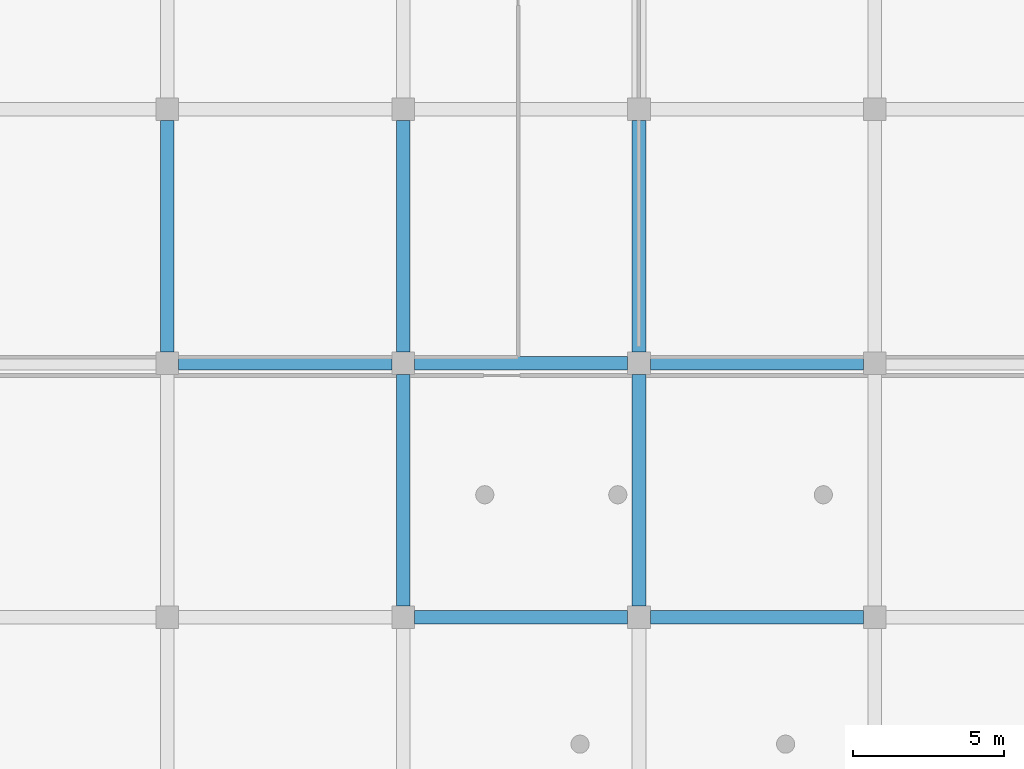
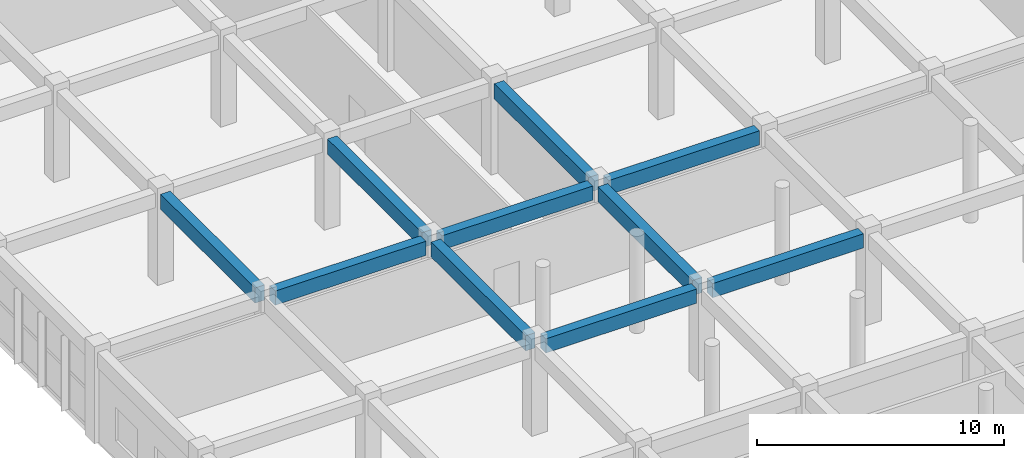
# One storey, part 9 of 167: 10 beams.
"""IFC4 building model written with IfcOpenShell, lengths in metres."""

from ifc_helpers import new_model, si_unit, direction, frame, origin, origin_2d, place, context, subcontext, project, spatial, rectangle, extrude, material, material_profile, profile_set, type_object, element, save


model = new_model("IFC4")

# Units and contexts
model_context = context("Model", 3, precision=1e-05, world=origin(), true_north=direction((0.0, 1.0)))
body_context = subcontext(model_context, "Body", "Model", "MODEL_VIEW")
ifc_project = project(units=[si_unit("LENGTHUNIT", "METRE"), si_unit("AREAUNIT", "SQUARE_METRE"), si_unit("VOLUMEUNIT", "CUBIC_METRE"), si_unit("PLANEANGLEUNIT", "RADIAN"), si_unit("MASSUNIT", "GRAM", prefix="KILO")], contexts=[model_context])

# Site, building, storey
site_placement = place(None, origin())
site = spatial("IfcSite", under=ifc_project, at=site_placement, CompositionType="ELEMENT")
building_placement = place(site_placement, origin())
building = spatial("IfcBuilding", under=site, at=building_placement, Name="Zizhar Promenade General Hospital", CompositionType="ELEMENT")
storey_placement = place(building_placement, frame((0.0, 0.0, 9.60009765625)))
storey = spatial("IfcBuildingStorey", under=building, at=storey_placement, Name="L02", CompositionType="ELEMENT", Elevation=9.60009765625)

# Beams
ifc_material_1 = material(Name="Concrete C35/45", Category="concrete")
ifc_material_profile_1 = material_profile(ifc_material_1, rectangle(XDim=0.449951171875, YDim=0.699951171875, at=origin_2d()))
ifc_profile_set_1 = profile_set([ifc_material_profile_1], Name="Concrete C35/45")
beam_type_1 = type_object("IfcBeamType", Name="BM-RC-450x700", PredefinedType="BEAM", material=ifc_profile_set_1)
beam_1_placement = place(storey_placement, frame((8.175048828125, 25.199951171875, 4.119873046875), z_axis=(1.0, 0.0, 0.0), x_axis=(0.0, 1.0, 0.0)))
element("IfcBeam", 1, at=beam_1_placement, inside=storey, type_object=beam_type_1, Name="Grid Beam X L02 (1-3)", PredefinedType="BEAM", context=body_context, shape_type="SweptSolid", body=[
    extrude(rectangle(XDim=0.449951171875, YDim=0.699951171875, at=origin_2d()), origin(), (0.0, 0.0, 1.0), 7.050048828125),
])
for number, where, z_axis, x_axis, name in (
    (2, (15.97509765625, 16.800048828125, 4.119873046875), (1.0, 0.0, 0.0), (0.0, 1.0, 0.0), "Grid Beam X L02 (2-2)"),
    (3, (15.97509765625, 25.199951171875, 4.119873046875), (1.0, 0.0, 0.0), (0.0, 1.0, 0.0), "Grid Beam X L02 (2-3)"),
):
    element("IfcBeam", number, at=place(storey_placement, frame(where, z_axis=z_axis, x_axis=x_axis)), inside=storey, type_object=beam_type_1, Name=name, PredefinedType="BEAM", context=body_context, shape_type="SweptSolid", body=[
        extrude(rectangle(XDim=0.449951171875, YDim=0.699951171875, at=origin_2d()), origin(), (0.0, 0.0, 1.0), 7.0498046875),
    ])
for number, where, z_axis, x_axis, name in (
    (4, (23.77490234375, 16.800048828125, 4.119873046875), (1.0, 0.0, 0.0), (0.0, 1.0, 0.0), "Grid Beam X L02 (3-2)"),
    (5, (23.77490234375, 25.199951171875, 4.119873046875), (1.0, 0.0, 0.0), (0.0, 1.0, 0.0), "Grid Beam X L02 (3-3)"),
):
    element("IfcBeam", number, at=place(storey_placement, frame(where, z_axis=z_axis, x_axis=x_axis)), inside=storey, type_object=beam_type_1, Name=name, PredefinedType="BEAM", context=body_context, shape_type="SweptSolid", body=[
        extrude(rectangle(XDim=0.449951171875, YDim=0.699951171875, at=origin_2d()), origin(), (0.0, 0.0, 1.0), 7.050048828125),
    ])
ifc_material_2 = material(Name="Concrete C35/45", Category="concrete")
ifc_material_profile_2 = material_profile(ifc_material_2, rectangle(XDim=0.449951171875, YDim=0.75, at=origin_2d()))
ifc_profile_set_2 = profile_set([ifc_material_profile_2], Name="Concrete C35/45")
beam_type_2 = type_object("IfcBeamType", Name="BM-RC-450x750", PredefinedType="BEAM", material=ifc_profile_set_2)
beam_2_placement = place(storey_placement, frame((7.800048828125, 25.574951171875, 4.094970703125), z_axis=(0.0, 1.0, 0.0), x_axis=(-1.0, 0.0, 0.0)))
element("IfcBeam", 6, at=beam_2_placement, inside=storey, type_object=beam_type_2, Name="Grid Beam Y L02 (1-3)", PredefinedType="BEAM", context=body_context, shape_type="SweptSolid", body=[
    extrude(rectangle(XDim=0.449951171875, YDim=0.75, at=origin_2d()), origin(), (0.0, 0.0, 1.0), 7.650146484375),
])
beam_3_placement = place(storey_placement, frame((15.60009765625, 17.175048828125, 4.094970703125), z_axis=(0.0, 1.0, 0.0), x_axis=(-1.0, 0.0, 0.0)))
element("IfcBeam", 7, at=beam_3_placement, inside=storey, type_object=beam_type_2, Name="Grid Beam Y L02 (2-2)", PredefinedType="BEAM", context=body_context, shape_type="SweptSolid", body=[
    extrude(rectangle(XDim=0.449951171875, YDim=0.75, at=origin_2d()), origin(), (0.0, 0.0, 1.0), 7.64990234375),
])
beam_4_placement = place(storey_placement, frame((15.60009765625, 25.574951171875, 4.094970703125), z_axis=(0.0, 1.0, 0.0), x_axis=(-1.0, 0.0, 0.0)))
element("IfcBeam", 8, at=beam_4_placement, inside=storey, type_object=beam_type_2, Name="Grid Beam Y L02 (2-3)", PredefinedType="BEAM", context=body_context, shape_type="SweptSolid", body=[
    extrude(rectangle(XDim=0.449951171875, YDim=0.75, at=origin_2d()), origin(), (0.0, 0.0, 1.0), 7.650146484375),
])
beam_5_placement = place(storey_placement, frame((23.39990234375, 17.175048828125, 4.094970703125), z_axis=(0.0, 1.0, 0.0), x_axis=(-1.0, 0.0, 0.0)))
element("IfcBeam", 9, at=beam_5_placement, inside=storey, type_object=beam_type_2, Name="Grid Beam Y L02 (3-2)", PredefinedType="BEAM", context=body_context, shape_type="SweptSolid", body=[
    extrude(rectangle(XDim=0.449951171875, YDim=0.75, at=origin_2d()), origin(), (0.0, 0.0, 1.0), 7.64990234375),
])
beam_6_placement = place(storey_placement, frame((23.39990234375, 25.574951171875, 4.094970703125), z_axis=(0.0, 1.0, 0.0), x_axis=(-1.0, 0.0, 0.0)))
element("IfcBeam", 10, at=beam_6_placement, inside=storey, type_object=beam_type_2, Name="Grid Beam Y L02 (3-3)", PredefinedType="BEAM", context=body_context, shape_type="SweptSolid", body=[
    extrude(rectangle(XDim=0.449951171875, YDim=0.75, at=origin_2d()), origin(), (0.0, 0.0, 1.0), 7.650146484375),
])

save(model, "model.ifc")
